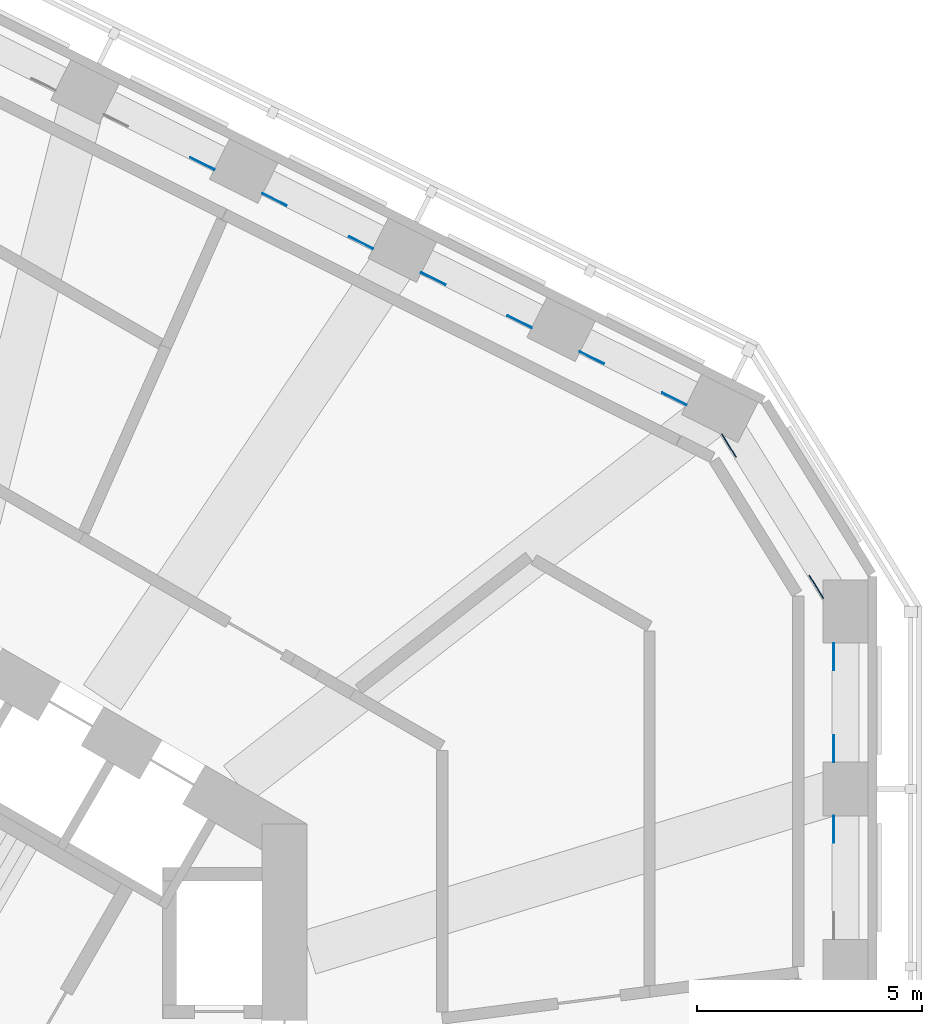
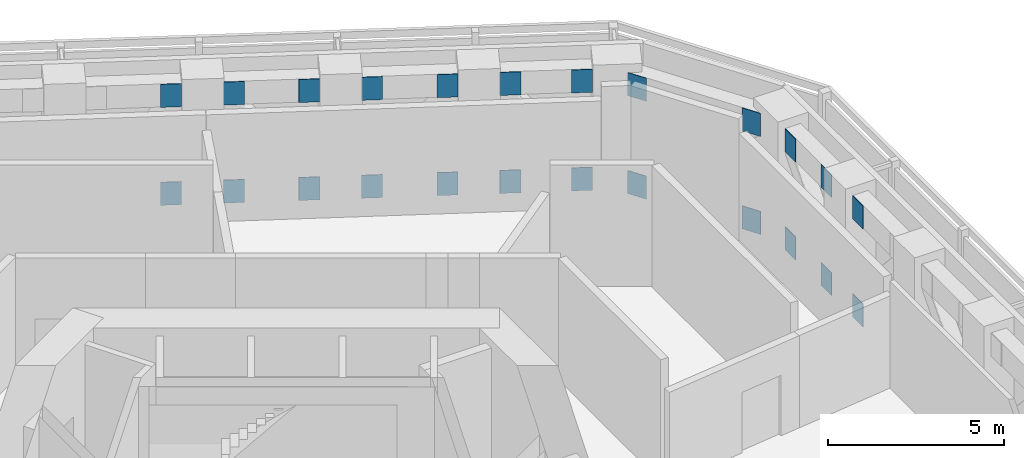
# One storey, part 13 of 15: 24 discrete accessories.
"""IFC4 building model written with IfcOpenShell, lengths in metres."""

from ifc_helpers import new_model, si_unit, direction, frame, origin, origin_2d, place, context, subcontext, project, spatial, rectangle, extrude, material, layer, layer_set, type_object, element, save


model = new_model("IFC4")

# Units and contexts
model_context = context("Model", 3, precision=1e-05, world=origin(), true_north=direction((0.0, 1.0)))
body_context = subcontext(model_context, "Body", "Model", "MODEL_VIEW")
ifc_project = project(units=[si_unit("LENGTHUNIT", "METRE"), si_unit("AREAUNIT", "SQUARE_METRE"), si_unit("VOLUMEUNIT", "CUBIC_METRE"), si_unit("PLANEANGLEUNIT", "RADIAN"), si_unit("MASSUNIT", "GRAM", prefix="KILO")], contexts=[model_context])

# Site, building, storey
site_placement = place(None, origin())
site = spatial("IfcSite", under=ifc_project, at=site_placement, CompositionType="ELEMENT")
building_placement = place(site_placement, origin())
building = spatial("IfcBuilding", under=site, at=building_placement, Name="Vanh Sen Convention Tower", CompositionType="ELEMENT")
storey_placement = place(building_placement, frame((0.0, 0.0, 119.89990234375)))
storey = spatial("IfcBuildingStorey", under=building, at=storey_placement, Name="L29", CompositionType="ELEMENT", Elevation=119.89990234375)

# Discrete accessories
ifc_material = material(Name="Steel S355", Category="steel")
ifc_layer = layer(ifc_material, 0.02001953125)
ifc_layer_set = layer_set([ifc_layer], Name="Steel S355")
discrete_accessory_type = type_object("IfcDiscreteAccessoryType", Name="Belt truss gusset plate 600 x 800 x 20", PredefinedType="USERDEFINED", material=ifc_layer_set)
for number, where, z_axis, x_axis, name in (
    (1, (22.18994140625, 5.944091796875, 0.0), (0.0, 0.0, 1.0), (0.0, -1.0, 0.0), "GUSSET PLATE belt truss chord bottom 04 L29 end"),
    (2, (22.18994140625, 5.944091796875, 3.39990234375), (0.0, 0.0, 1.0), (0.0, -1.0, 0.0), "GUSSET PLATE belt truss chord top 04 L29 end"),
    (3, (22.18994140625, 7.734130859375, 0.0), (0.0, 0.0, 1.0), (0.0, 1.0, 0.0), "GUSSET PLATE belt truss chord bottom 05 L29 start"),
    (4, (22.18994140625, 9.77880859375, 0.0), (0.0, 0.0, 1.0), (0.0, -1.0, 0.0), "GUSSET PLATE belt truss chord bottom 05 L29 end"),
    (5, (22.18994140625, 7.734130859375, 3.39990234375), (0.0, 0.0, 1.0), (0.0, 1.0, 0.0), "GUSSET PLATE belt truss chord top 05 L29 start"),
    (6, (22.18994140625, 9.77880859375, 3.39990234375), (0.0, 0.0, 1.0), (0.0, -1.0, 0.0), "GUSSET PLATE belt truss chord top 05 L29 end"),
    (7, (21.80322265625, 11.32470703125, 0.0), (0.0, 0.0, 1.0), (-0.526210955359, 0.850354061823, 0.0), "GUSSET PLATE belt truss chord bottom 06 L29 start"),
    (8, (19.86328125, 14.45947265625, 0.0), (0.0, 0.0, 1.0), (0.526210955359, -0.850354061823, 0.0), "GUSSET PLATE belt truss chord bottom 06 L29 end"),
    (9, (21.80322265625, 11.32470703125, 3.39990234375), (0.0, 0.0, 1.0), (-0.526210955359, 0.850354061823, 0.0), "GUSSET PLATE belt truss chord top 06 L29 start"),
    (10, (19.86328125, 14.45947265625, 3.39990234375), (0.0, 0.0, 1.0), (0.526210955359, -0.850354061823, 0.0), "GUSSET PLATE belt truss chord top 06 L29 end"),
    (11, (18.65234375, 15.495361328125, 0.0), (0.0, 0.0, 1.0), (-0.894935140363, 0.446196251154, 0.0), "GUSSET PLATE belt truss chord bottom 07 L29 start"),
    (12, (16.82275390625, 16.40771484375, 0.0), (0.0, 0.0, 1.0), (0.894935140363, -0.446196251154, 0.0), "GUSSET PLATE belt truss chord bottom 07 L29 end"),
    (13, (18.65234375, 15.495361328125, 3.39990234375), (0.0, 0.0, 1.0), (-0.894935140363, 0.446196251154, 0.0), "GUSSET PLATE belt truss chord top 07 L29 start"),
    (14, (16.82275390625, 16.40771484375, 3.39990234375), (0.0, 0.0, 1.0), (0.894935140363, -0.446196251154, 0.0), "GUSSET PLATE belt truss chord top 07 L29 end"),
    (15, (15.220703125, 17.206298828125, 0.0), (0.0, 0.0, 1.0), (-0.894935140363, 0.446196251154, 0.0), "GUSSET PLATE belt truss chord bottom 08 L29 start"),
    (16, (13.301513671875, 18.163330078125, 0.0), (0.0, 0.0, 1.0), (0.894935140363, -0.446196251154, 0.0), "GUSSET PLATE belt truss chord bottom 08 L29 end"),
    (17, (15.220703125, 17.206298828125, 3.39990234375), (0.0, 0.0, 1.0), (-0.894935140363, 0.446196251154, 0.0), "GUSSET PLATE belt truss chord top 08 L29 start"),
    (18, (13.301513671875, 18.163330078125, 3.39990234375), (0.0, 0.0, 1.0), (0.894935140363, -0.446196251154, 0.0), "GUSSET PLATE belt truss chord top 08 L29 end"),
    (19, (11.699462890625, 18.9619140625, 0.0), (0.0, 0.0, 1.0), (-0.894935140363, 0.446196251154, 0.0), "GUSSET PLATE belt truss chord bottom 09 L29 start"),
    (20, (9.7802734375, 19.9189453125, 0.0), (0.0, 0.0, 1.0), (0.894935140363, -0.446196251154, 0.0), "GUSSET PLATE belt truss chord bottom 09 L29 end"),
    (21, (11.699462890625, 18.9619140625, 3.39990234375), (0.0, 0.0, 1.0), (-0.894935140363, 0.446196251154, 0.0), "GUSSET PLATE belt truss chord top 09 L29 start"),
    (22, (9.7802734375, 19.9189453125, 3.39990234375), (0.0, 0.0, 1.0), (0.894935140363, -0.446196251154, 0.0), "GUSSET PLATE belt truss chord top 09 L29 end"),
    (23, (8.17822265625, 20.717529296875, 0.0), (0.0, 0.0, 1.0), (-0.894935140363, 0.446196251154, 0.0), "GUSSET PLATE belt truss chord bottom 10 L29 start"),
    (24, (8.17822265625, 20.717529296875, 3.39990234375), (0.0, 0.0, 1.0), (-0.894935140363, 0.446196251154, 0.0), "GUSSET PLATE belt truss chord top 10 L29 start"),
):
    element("IfcDiscreteAccessory", number, at=place(storey_placement, frame(where, z_axis=z_axis, x_axis=x_axis)), inside=storey, type_object=discrete_accessory_type, Name=name, ObjectType="GUSSET PLATE", PredefinedType="USERDEFINED", context=body_context, shape_type="SweptSolid", body=[
        extrude(rectangle(XDim=0.60009765625, YDim=0.02001953125, at=origin_2d()), origin(), (0.0, 0.0, 1.0), 0.800048828125),
    ])

save(model, "model.ifc")
